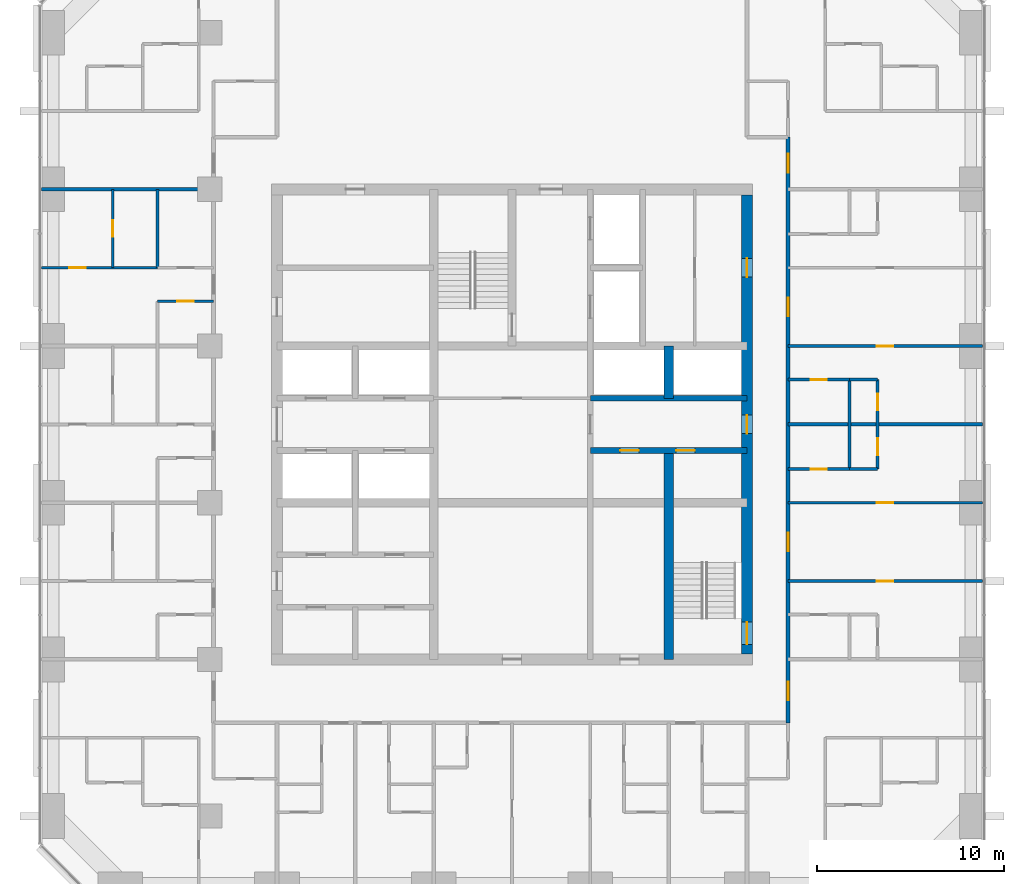
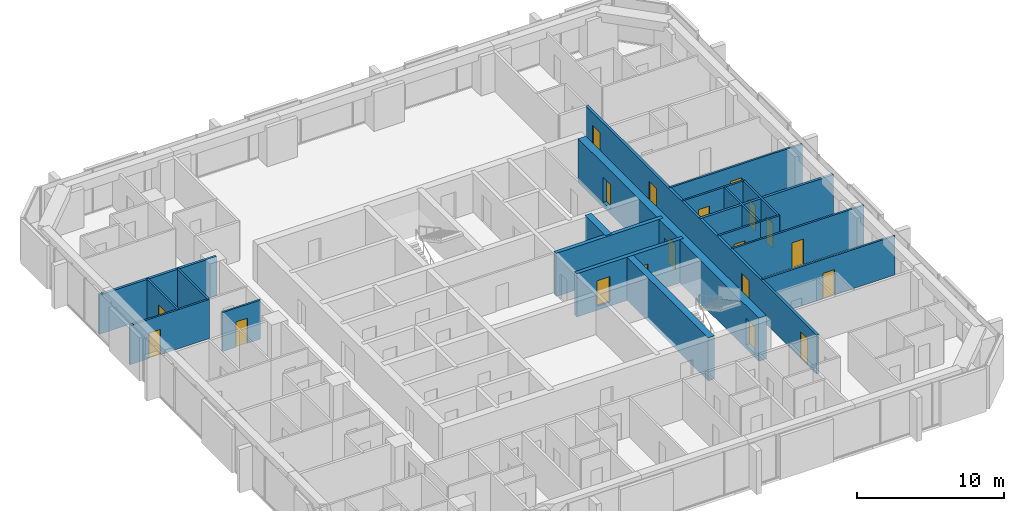
# One storey, part 11 of 14: 21 walls, 19 doors, 19 openings.
"""IFC4 building model written with IfcOpenShell, lengths in metres."""

import ifcopenshell
import ifcopenshell.guid

model = None  # the IFC model being written
_history = None  # IfcOwnerHistory: only IFC2X3 demands one
_inside = {}  # id of a spatial element -> (the spatial element, [elements in it])
_under = {}  # id of a project, library or spatial element -> (it, [spatial elements below it])
_declared = {}  # id of a project -> (the project, [libraries it declares])
_typed = {}  # id of a type object -> (the type object, [elements of that type])
_made_of = {}  # id of a material, layer set ... -> (it, [elements and type objects made of it])


def new_model(schema):
    """Start an empty IFC model of exactly this schema.

    Asked for "IFC4X3", IfcOpenShell would pick the latest addendum, in which some entities
    have other attributes; the version numbers below select the first issue.
    IFC2X3 requires an IfcOwnerHistory on every rooted entity: one is made here for all.
    """
    global model, _history
    if schema == "IFC4X3":
        model = ifcopenshell.file(schema_version=(4, 3, 0, 0))
    else:
        model = ifcopenshell.file(schema=schema)
    _inside.clear()
    _under.clear()
    _declared.clear()
    _typed.clear()
    _made_of.clear()
    _history = None
    if model.schema == "IFC2X3":
        org = make("IfcOrganization", Name="unknown")
        user = make(
            "IfcPersonAndOrganization",
            ThePerson=make("IfcPerson", FamilyName="unknown"),
            TheOrganization=org,
        )
        app = make(
            "IfcApplication",
            ApplicationDeveloper=org,
            Version="unknown",
            ApplicationFullName="unknown",
            ApplicationIdentifier="unknown",
        )
        _history = make(
            "IfcOwnerHistory",
            OwningUser=user,
            OwningApplication=app,
            ChangeAction="ADDED",
            CreationDate=0,
        )
    return model


def make(cls, **values):
    """One entity of the class cls with the attributes given. An attribute that is None is left unset."""
    return model.create_entity(
        cls, **{name: value for name, value in values.items() if value is not None}
    )


def rooted(cls, **values):
    """An entity with a GlobalId (a new one), such as an element, a storey or a relation."""
    return make(cls, GlobalId=ifcopenshell.guid.new(), OwnerHistory=_history, **values)


def si_unit(unit_type, name, prefix=None):
    """IfcSIUnit, for example si_unit("LENGTHUNIT", "METRE", prefix="MILLI")."""
    return make("IfcSIUnit", UnitType=unit_type, Prefix=prefix, Name=name)


def assignment(units):
    """IfcUnitAssignment: the units of a project."""
    return None if units is None else make("IfcUnitAssignment", Units=units)


def point(xyz):
    """IfcCartesianPoint."""
    return None if xyz is None else make("IfcCartesianPoint", Coordinates=xyz)


def direction(xyz):
    """IfcDirection."""
    return None if xyz is None else make("IfcDirection", DirectionRatios=xyz)


def frame(location, z_axis=None, x_axis=None):
    """IfcAxis2Placement3D, a coordinate frame: its origin and axes. An axis left out is left unset."""
    return make(
        "IfcAxis2Placement3D",
        Location=point(location),
        Axis=direction(z_axis),
        RefDirection=direction(x_axis),
    )


def frame_2d(location, x_axis=None):
    """IfcAxis2Placement2D, a coordinate frame in the plane: its origin and x axis."""
    return make(
        "IfcAxis2Placement2D", Location=point(location), RefDirection=direction(x_axis)
    )


def origin():
    """The frame at (0, 0, 0) with its axes left unset."""
    return frame((0.0, 0.0, 0.0))


def place(relative_to, where):
    """IfcLocalPlacement: puts the frame where relative to a parent placement (None: the world)."""
    return make(
        "IfcLocalPlacement", PlacementRelTo=relative_to, RelativePlacement=where
    )


def context(
    kind, dimensions, precision=None, world=None, true_north=None, identifier=None
):
    """IfcGeometricRepresentationContext, for example the 3D "Model" context."""
    return make(
        "IfcGeometricRepresentationContext",
        ContextIdentifier=identifier,
        ContextType=kind,
        CoordinateSpaceDimension=dimensions,
        Precision=precision,
        WorldCoordinateSystem=world,
        TrueNorth=true_north,
    )


def subcontext(parent, identifier, kind, view, scale=None):
    """IfcGeometricRepresentationSubContext, for example "Body" below "Model"."""
    return make(
        "IfcGeometricRepresentationSubContext",
        ContextIdentifier=identifier,
        ContextType=kind,
        ParentContext=parent,
        TargetScale=scale,
        TargetView=view,
    )


def project(units=None, contexts=None):
    """IfcProject with its units and contexts."""
    return rooted(
        "IfcProject",
        Name="project",
        RepresentationContexts=contexts,
        UnitsInContext=assignment(units),
    )


def spatial(cls, under=None, at=None, **own):
    """A site, building, storey or space (cls), placed at a placement, below another one or the project."""
    s = rooted(cls, ObjectPlacement=at, **own)
    if under is not None:
        _under.setdefault(under.id(), (under, []))[1].append(s)
    return s


def profile(cls, at=None, kind="AREA", **sizes):
    """A parametric profile (cls). Its sizes go by their IFC names, for example OverallWidth=200.0."""
    return make(cls, ProfileType=kind, Position=at, **sizes)


def rectangle(**sizes):
    """IfcRectangleProfileDef."""
    return profile("IfcRectangleProfileDef", **sizes)


def extrude(swept, where, along, depth):
    """IfcExtrudedAreaSolid: the profile swept, set in the frame where, extruded along a direction by depth."""
    return make(
        "IfcExtrudedAreaSolid",
        SweptArea=swept,
        Position=where,
        ExtrudedDirection=direction(along),
        Depth=depth,
    )


def shape(context_of_items, identifier, shape_type, items):
    """IfcShapeRepresentation: the items that make up one representation, for example the "Body"."""
    return make(
        "IfcShapeRepresentation",
        ContextOfItems=context_of_items,
        RepresentationIdentifier=identifier,
        RepresentationType=shape_type,
        Items=items,
    )


def material(Name=None, Category=None):
    """IfcMaterial."""
    return make("IfcMaterial", Name=Name, Category=Category)


def layer(
    of_material, thickness, ventilated=None, Name=None, Category=None, Priority=None
):
    """IfcMaterialLayer: one layer of a wall or slab, of a material (None: an air gap)."""
    return make(
        "IfcMaterialLayer",
        Material=of_material,
        LayerThickness=thickness,
        IsVentilated=ventilated,
        Name=Name,
        Category=Category,
        Priority=Priority,
    )


def layer_set(layers, Name=None):
    """IfcMaterialLayerSet."""
    return make("IfcMaterialLayerSet", MaterialLayers=layers, LayerSetName=Name)


def made_of(thing, what):
    """Note that an element or type object is made of a material, layer set ...; save() writes the relation."""
    if what is not None:
        _made_of.setdefault(what.id(), (what, []))[1].append(thing)
    return thing


def type_object(cls, material=None, **own):
    """A type object (cls), such as IfcWallType, which elements share."""
    return made_of(rooted(cls, **own), material)


def element(
    cls,
    number,
    at=None,
    inside=None,
    cuts=None,
    type_object=None,
    material=None,
    context=None,
    identifier="Body",
    shape_type=None,
    held_by="IfcProductDefinitionShape",
    body=None,
    shapes=None,
    **own,
):
    """One element of the class cls, such as IfcWall. Its Tag is "e" and its number.

    at: its placement. inside: the storey or other place that contains it. cuts: it is an
    opening in that element (IfcRelVoidsElement). A single representation is given by context,
    identifier, shape_type and body (its items); several are given by shapes. held_by: the class
    of the entity that holds the representations. save() writes the other relations.
    """
    e = rooted(cls, Tag="e%d" % number, ObjectPlacement=at, **own)
    if body is not None:
        shapes = [shape(context, identifier, shape_type, body)]
    if shapes is not None:
        e.Representation = make(held_by, Representations=shapes)
    if inside is not None:
        _inside.setdefault(inside.id(), (inside, []))[1].append(e)
    if cuts is not None:
        rooted(
            "IfcRelVoidsElement", RelatingBuildingElement=cuts, RelatedOpeningElement=e
        )
    if type_object is not None:
        _typed.setdefault(type_object.id(), (type_object, []))[1].append(e)
    return made_of(e, material)


def fill(opening, filler):
    """IfcRelFillsElement: the door or window that sits in an opening."""
    return rooted(
        "IfcRelFillsElement",
        RelatingOpeningElement=opening,
        RelatedBuildingElement=filler,
    )


def aggregate(whole, parts):
    """IfcRelAggregates: a whole, such as a stair, and the parts it consists of."""
    return rooted("IfcRelAggregates", RelatingObject=whole, RelatedObjects=parts)


def save(model, path):
    """Write the relations noted so far, then the file.

    IfcRelAggregates (storeys below a building ...), IfcRelContainedInSpatialStructure (elements
    in a storey), IfcRelDefinesByType, IfcRelAssociatesMaterial and IfcRelDeclares: one each for
    every whole, place, type object, material and project.
    """
    for whole, parts in _under.values():
        aggregate(whole, parts)
    for where, things in _inside.values():
        rooted(
            "IfcRelContainedInSpatialStructure",
            RelatedElements=things,
            RelatingStructure=where,
        )
    for kind, things in _typed.values():
        rooted("IfcRelDefinesByType", RelatedObjects=things, RelatingType=kind)
    for what, things in _made_of.values():
        rooted("IfcRelAssociatesMaterial", RelatedObjects=things, RelatingMaterial=what)
    for by, libraries in _declared.values():
        rooted("IfcRelDeclares", RelatingContext=by, RelatedDefinitions=libraries)
    model.write(path)


model = new_model("IFC4")

# Units and contexts
model_context = context("Model", 3, precision=1e-05, world=origin(), true_north=direction((0.0, 1.0)))
body_context = subcontext(model_context, "Body", "Model", "MODEL_VIEW")
ifc_project = project(units=[si_unit("LENGTHUNIT", "METRE"), si_unit("AREAUNIT", "SQUARE_METRE"), si_unit("VOLUMEUNIT", "CUBIC_METRE"), si_unit("PLANEANGLEUNIT", "RADIAN"), si_unit("MASSUNIT", "GRAM", prefix="KILO")], contexts=[model_context])

# Site, building, storey
site_placement = place(None, origin())
site = spatial("IfcSite", under=ifc_project, at=site_placement, CompositionType="ELEMENT")
building_placement = place(site_placement, origin())
building = spatial("IfcBuilding", under=site, at=building_placement, Name="Dunama Terrace Hotel", CompositionType="ELEMENT")
storey_placement = place(building_placement, frame((0.0, 0.0, 198.60009765625)))
storey = spatial("IfcBuildingStorey", under=building, at=storey_placement, Name="L51", CompositionType="ELEMENT", Elevation=198.60009765625)

# Wall, opening, door
ifc_material_1 = material(Name="Gypsum board partition", Category="masonry")
ifc_layer_1 = layer(ifc_material_1, 0.14990234375)
ifc_layer_set_1 = layer_set([ifc_layer_1], Name="Bathroom partition 150")
wall_type_1 = type_object("IfcWallType", Name="Bathroom partition 150", PredefinedType="PARTITIONING", material=ifc_layer_set_1)
wall_1_placement = place(storey_placement, frame((44.199951171875, 27.0, 0.0), z_axis=(0.0, 0.0, 1.0), x_axis=(1.0, 0.0, 0.0)))
wall_1 = element("IfcWall", 1, at=wall_1_placement, inside=storey, type_object=wall_type_1, Name="Bathroom partition 150 L51", PredefinedType="PARTITIONING", context=body_context, shape_type="SweptSolid", body=[
    extrude(rectangle(XDim=3.300048828125, YDim=0.14990234375, at=frame_2d((1.64990234375, 0.0))), origin(), (0.0, 0.0, 1.0), 3.25),
])
opening_1_placement = place(wall_1_placement, frame((1.22509765625, 0.0, 0.0)))
opening_1 = element("IfcOpeningElement", 2, at=opening_1_placement, cuts=wall_1, Name="Opening L51-52-029", PredefinedType="OPENING", context=body_context, shape_type="SweptSolid", body=[
    extrude(rectangle(XDim=0.85009765625, YDim=2.10009765625, at=frame_2d((0.425048828125, 1.050048828125))), frame((0.0, 0.0849609375, 0.0), z_axis=(0.0, -1.0, 0.0), x_axis=(1.0, 0.0, 0.0)), (0.0, 0.0, 1.0), 0.169921875),
])
ifc_material_2 = material(Name="Timber door with steel frame", Category="steel")
door_type_1 = type_object("IfcDoorType", Name="Bathroom door 850", OperationType="SINGLE_SWING_LEFT", PredefinedType="DOOR", material=ifc_material_2)
door_1_placement = place(opening_1_placement, origin())
door_1 = element("IfcDoor", 3, at=door_1_placement, inside=storey, type_object=door_type_1, Name="Door to en-suite bathroom L51-52-029, type D2", OperationType="SINGLE_SWING_LEFT", OverallHeight=2.10009765625, OverallWidth=0.85009765625, PredefinedType="DOOR", context=body_context, shape_type="SweptSolid", body=[
    extrude(rectangle(XDim=0.85009765625, YDim=2.10009765625, at=frame_2d((0.425048828125, 1.050048828125))), frame((0.0, 0.02490234375, 0.0), z_axis=(0.0, -1.0, 0.0), x_axis=(1.0, 0.0, 0.0)), (0.0, 0.0, 1.0), 0.050048828125),
])
fill(opening_1, door_1)

wall_2_placement = place(storey_placement, frame((44.199951171875, 31.800048828125, 0.0), z_axis=(0.0, 0.0, 1.0), x_axis=(1.0, 0.0, 0.0)))
wall_2 = element("IfcWall", 4, at=wall_2_placement, inside=storey, type_object=wall_type_1, Name="Bathroom partition 150 L51", PredefinedType="PARTITIONING", context=body_context, shape_type="SweptSolid", body=[
    extrude(rectangle(XDim=3.300048828125, YDim=0.14990234375, at=frame_2d((1.64990234375, 0.0))), origin(), (0.0, 0.0, 1.0), 3.25),
])
opening_2_placement = place(wall_2_placement, frame((1.22509765625, 0.0, 0.0)))
opening_2 = element("IfcOpeningElement", 5, at=opening_2_placement, cuts=wall_2, Name="Opening L51-52-033", PredefinedType="OPENING", context=body_context, shape_type="SweptSolid", body=[
    extrude(rectangle(XDim=0.85009765625, YDim=2.10009765625, at=frame_2d((0.425048828125, 1.050048828125))), frame((0.0, 0.0849609375, 0.0), z_axis=(0.0, -1.0, 0.0), x_axis=(1.0, 0.0, 0.0)), (0.0, 0.0, 1.0), 0.169921875),
])
door_2_placement = place(opening_2_placement, frame((0.85009765625, 0.0, 0.0), z_axis=(0.0, 0.0, 1.0), x_axis=(-1.0, 0.0, 0.0)))
door_2 = element("IfcDoor", 6, at=door_2_placement, inside=storey, type_object=door_type_1, Name="Door to en-suite bathroom L51-52-033, type D2", OperationType="SINGLE_SWING_RIGHT", OverallHeight=2.10009765625, OverallWidth=0.85009765625, PredefinedType="DOOR", context=body_context, shape_type="SweptSolid", body=[
    extrude(rectangle(XDim=0.85009765625, YDim=2.10009765625, at=frame_2d((0.425048828125, 1.050048828125))), frame((0.0, 0.025146484375, 0.0), z_axis=(0.0, -1.0, 0.0), x_axis=(1.0, 0.0, 0.0)), (0.0, 0.0, 1.0), 0.050048828125),
])
fill(opening_2, door_2)

# Wall, openings, doors
ifc_material_3 = material(Name="Concrete C50/60", Category="concrete")
ifc_layer_2 = layer(ifc_material_3, 0.300048828125)
ifc_layer_set_2 = layer_set([ifc_layer_2], Name="Core inner wall 300")
wall_type_2 = type_object("IfcWallType", Name="Core inner wall 300", PredefinedType="SHEAR", material=ifc_layer_set_2)
wall_3_placement = place(storey_placement, frame((33.60009765625, 28.0, -0.35009765625), z_axis=(0.0, 0.0, 1.0), x_axis=(1.0, 0.0, 0.0)))
wall_3 = element("IfcWall", 7, at=wall_3_placement, inside=storey, type_object=wall_type_2, Name="Core inner wall 300 L51", PredefinedType="SHEAR", context=body_context, shape_type="SweptSolid", body=[
    extrude(rectangle(XDim=8.39990234375, YDim=0.300048828125, at=frame_2d((4.199951171875, 0.0))), origin(), (0.0, 0.0, 1.0), 3.60009765625),
])
opening_3_placement = place(wall_3_placement, frame((1.60009765625, 0.0, 0.35009765625)))
opening_3 = element("IfcOpeningElement", 8, at=opening_3_placement, cuts=wall_3, Name="Opening L51-52-083", PredefinedType="OPENING", context=body_context, shape_type="SweptSolid", body=[
    extrude(rectangle(XDim=1.0, YDim=2.10009765625, at=frame_2d((0.5, 1.050048828125))), frame((0.0, 0.159912109375, 0.0), z_axis=(0.0, -1.0, 0.0), x_axis=(1.0, 0.0, 0.0)), (0.0, 0.0, 1.0), 0.320068359375),
])
opening_4_placement = place(wall_3_placement, frame((4.60009765625, 0.0, 0.35009765625)))
opening_4 = element("IfcOpeningElement", 9, at=opening_4_placement, cuts=wall_3, Name="Opening L51-52-084", PredefinedType="OPENING", context=body_context, shape_type="SweptSolid", body=[
    extrude(rectangle(XDim=1.0, YDim=2.10009765625, at=frame_2d((0.5, 1.050048828125))), frame((0.0, 0.159912109375, 0.0), z_axis=(0.0, -1.0, 0.0), x_axis=(1.0, 0.0, 0.0)), (0.0, 0.0, 1.0), 0.320068359375),
])
ifc_material_4 = material(Name="Timber door with steel frame", Category="steel")
door_type_2 = type_object("IfcDoorType", Name="Service door 1000", OperationType="SINGLE_SWING_LEFT", PredefinedType="DOOR", material=ifc_material_4)
door_3_placement = place(opening_3_placement, frame((1.0, 0.0, 0.0), z_axis=(0.0, 0.0, 1.0), x_axis=(-1.0, 0.0, 0.0)))
door_3 = element("IfcDoor", 10, at=door_3_placement, inside=storey, type_object=door_type_2, Name="Door to service riser L51-52-083, type D7", OperationType="SINGLE_SWING_LEFT", OverallHeight=2.10009765625, OverallWidth=1.0, PredefinedType="DOOR", context=body_context, shape_type="SweptSolid", body=[
    extrude(rectangle(XDim=1.0, YDim=2.10009765625, at=frame_2d((0.5, 1.050048828125))), frame((0.0, 0.025146484375, 0.0), z_axis=(0.0, -1.0, 0.0), x_axis=(1.0, 0.0, 0.0)), (0.0, 0.0, 1.0), 0.050048828125),
])
fill(opening_3, door_3)
door_4_placement = place(opening_4_placement, frame((1.0, 0.0, 0.0), z_axis=(0.0, 0.0, 1.0), x_axis=(-1.0, 0.0, 0.0)))
door_4 = element("IfcDoor", 11, at=door_4_placement, inside=storey, type_object=door_type_2, Name="Door to room service pantry L51-52-084, type D7", OperationType="SINGLE_SWING_RIGHT", OverallHeight=2.10009765625, OverallWidth=1.0, PredefinedType="DOOR", context=body_context, shape_type="SweptSolid", body=[
    extrude(rectangle(XDim=1.0, YDim=2.10009765625, at=frame_2d((0.5, 1.050048828125))), frame((0.0, 0.025146484375, 0.0), z_axis=(0.0, -1.0, 0.0), x_axis=(1.0, 0.0, 0.0)), (0.0, 0.0, 1.0), 0.050048828125),
])
fill(opening_4, door_4)

# Walls
wall_4_placement = place(storey_placement, frame((33.60009765625, 30.800048828125, -0.35009765625), z_axis=(0.0, 0.0, 1.0), x_axis=(1.0, 0.0, 0.0)))
element("IfcWall", 12, at=wall_4_placement, inside=storey, type_object=wall_type_2, Name="Core inner wall 300 L51", PredefinedType="SHEAR", context=body_context, shape_type="SweptSolid", body=[
    extrude(rectangle(XDim=8.39990234375, YDim=0.300048828125, at=frame_2d((4.199951171875, 0.0))), origin(), (0.0, 0.0, 1.0), 3.60009765625),
])
ifc_material_5 = material(Name="Concrete C50/60", Category="concrete")
ifc_layer_3 = layer(ifc_material_5, 0.5)
ifc_layer_set_3 = layer_set([ifc_layer_3], Name="Core inner wall 500")
wall_type_3 = type_object("IfcWallType", Name="Core inner wall 500", PredefinedType="SHEAR", material=ifc_layer_set_3)
wall_5_placement = place(storey_placement, frame((37.800048828125, 16.800048828125, -0.35009765625), z_axis=(0.0, 0.0, 1.0), x_axis=(0.0, 1.0, 0.0)))
element("IfcWall", 13, at=wall_5_placement, inside=storey, type_object=wall_type_3, Name="Core inner wall 500 L51", PredefinedType="SHEAR", context=body_context, shape_type="SweptSolid", body=[
    extrude(rectangle(XDim=11.199951171875, YDim=0.5, at=frame_2d((5.60009765625, 0.0))), origin(), (0.0, 0.0, 1.0), 3.60009765625),
])
wall_6_placement = place(storey_placement, frame((37.800048828125, 30.800048828125, -0.35009765625), z_axis=(0.0, 0.0, 1.0), x_axis=(0.0, 1.0, 0.0)))
element("IfcWall", 14, at=wall_6_placement, inside=storey, type_object=wall_type_3, Name="Core inner wall 500 L51", PredefinedType="SHEAR", context=body_context, shape_type="SweptSolid", body=[
    extrude(rectangle(XDim=2.800048828125, YDim=0.5, at=frame_2d((1.39990234375, 0.0))), origin(), (0.0, 0.0, 1.0), 3.60009765625),
])

# Wall, openings, doors
ifc_material_6 = material(Name="Concrete C50/60", Category="concrete")
ifc_layer_4 = layer(ifc_material_6, 0.60009765625)
ifc_layer_set_4 = layer_set([ifc_layer_4], Name="Core wall 600")
wall_type_4 = type_object("IfcWallType", Name="Core wall 600", PredefinedType="SHEAR", material=ifc_layer_set_4)
wall_7_placement = place(storey_placement, frame((42.0, 17.10009765625, -0.35009765625), z_axis=(0.0, 0.0, 1.0), x_axis=(0.0, 1.0, 0.0)))
wall_7 = element("IfcWall", 15, at=wall_7_placement, inside=storey, type_object=wall_type_4, Name="Core wall east L51", PredefinedType="SHEAR", context=body_context, shape_type="SweptSolid", body=[
    extrude(rectangle(XDim=24.599853515625, YDim=0.60009765625, at=frame_2d((12.2998046875, 0.0))), origin(), (0.0, 0.0, 1.0), 3.60009765625),
])
opening_5_placement = place(wall_7_placement, frame((0.5, 0.0, 0.35009765625)))
opening_5 = element("IfcOpeningElement", 16, at=opening_5_placement, cuts=wall_7, Name="Opening L51-52-002", PredefinedType="OPENING", context=body_context, shape_type="SweptSolid", body=[
    extrude(rectangle(XDim=1.199951171875, YDim=2.199951171875, at=frame_2d((0.60009765625, 1.10009765625))), frame((0.0, 0.31005859375, 0.0), z_axis=(0.0, -1.0, 0.0), x_axis=(1.0, 0.0, 0.0)), (0.0, 0.0, 1.0), 0.6201171875),
])
opening_6_placement = place(wall_7_placement, frame((11.800048828125, 0.0, 0.35009765625)))
opening_6 = element("IfcOpeningElement", 17, at=opening_6_placement, cuts=wall_7, Name="Opening L51-52-085", PredefinedType="OPENING", context=body_context, shape_type="SweptSolid", body=[
    extrude(rectangle(XDim=1.0, YDim=2.10009765625, at=frame_2d((0.5, 1.050048828125))), frame((0.0, 0.31005859375, 0.0), z_axis=(0.0, -1.0, 0.0), x_axis=(1.0, 0.0, 0.0)), (0.0, 0.0, 1.0), 0.6201171875),
])
opening_7_placement = place(wall_7_placement, frame((20.199951171875, 0.0, 0.35009765625)))
opening_7 = element("IfcOpeningElement", 18, at=opening_7_placement, cuts=wall_7, Name="Opening L51-52-087", PredefinedType="OPENING", context=body_context, shape_type="SweptSolid", body=[
    extrude(rectangle(XDim=1.0, YDim=2.10009765625, at=frame_2d((0.5, 1.050048828125))), frame((0.0, 0.31005859375, 0.0), z_axis=(0.0, -1.0, 0.0), x_axis=(1.0, 0.0, 0.0)), (0.0, 0.0, 1.0), 0.6201171875),
])
door_5_placement = place(opening_6_placement, origin())
door_5 = element("IfcDoor", 19, at=door_5_placement, inside=storey, type_object=door_type_2, Name="Door to service lobby L51-52-085, type D7", OperationType="SINGLE_SWING_RIGHT", OverallHeight=2.10009765625, OverallWidth=1.0, PredefinedType="DOOR", context=body_context, shape_type="SweptSolid", body=[
    extrude(rectangle(XDim=1.0, YDim=2.10009765625, at=frame_2d((0.5, 1.050048828125))), frame((0.0, 0.02490234375, 0.0), z_axis=(0.0, -1.0, 0.0), x_axis=(1.0, 0.0, 0.0)), (0.0, 0.0, 1.0), 0.050048828125),
])
fill(opening_6, door_5)
door_6_placement = place(opening_7_placement, origin())
door_6 = element("IfcDoor", 20, at=door_6_placement, inside=storey, type_object=door_type_2, Name="Door to guest pantry L51-52-087, type D7", OperationType="SINGLE_SWING_LEFT", OverallHeight=2.10009765625, OverallWidth=1.0, PredefinedType="DOOR", context=body_context, shape_type="SweptSolid", body=[
    extrude(rectangle(XDim=1.0, YDim=2.10009765625, at=frame_2d((0.5, 1.050048828125))), frame((0.0, 0.02490234375, 0.0), z_axis=(0.0, -1.0, 0.0), x_axis=(1.0, 0.0, 0.0)), (0.0, 0.0, 1.0), 0.050048828125),
])
fill(opening_7, door_6)
ifc_material_7 = material(Name="Timber door with steel frame", Category="steel")
door_type_3 = type_object("IfcDoorType", Name="Stair door 1200", OperationType="SINGLE_SWING_LEFT", PredefinedType="DOOR", material=ifc_material_7)
door_7_placement = place(opening_5_placement, origin())
door_7 = element("IfcDoor", 21, at=door_7_placement, inside=storey, type_object=door_type_3, Name="Stair door ST2 L51-52-002, type D5", OperationType="SINGLE_SWING_LEFT", OverallHeight=2.199951171875, OverallWidth=1.199951171875, PredefinedType="DOOR", context=body_context, shape_type="SweptSolid", body=[
    extrude(rectangle(XDim=1.199951171875, YDim=2.199951171875, at=frame_2d((0.60009765625, 1.10009765625))), frame((0.0, 0.02490234375, 0.0), z_axis=(0.0, -1.0, 0.0), x_axis=(1.0, 0.0, 0.0)), (0.0, 0.0, 1.0), 0.050048828125),
])
fill(opening_5, door_7)

ifc_material_8 = material(Name="Concrete blockwork", Category="masonry")
ifc_layer_5 = layer(ifc_material_8, 0.199951171875)
ifc_layer_set_5 = layer_set([ifc_layer_5], Name="Corridor partition 200")
wall_type_5 = type_object("IfcWallType", Name="Corridor partition 200", PredefinedType="PARTITIONING", material=ifc_layer_set_5)
wall_8_placement = place(storey_placement, frame((44.199951171875, 44.800048828125, 0.0), z_axis=(0.0, 0.0, 1.0), x_axis=(0.0, -1.0, 0.0)))
wall_8 = element("IfcWall", 22, at=wall_8_placement, inside=storey, type_object=wall_type_5, Name="Corridor partition 200 L51", PredefinedType="PARTITIONING", context=body_context, shape_type="SweptSolid", body=[
    extrude(rectangle(XDim=31.400146484375, YDim=0.199951171875, at=frame_2d((15.7001953125, 0.0))), origin(), (0.0, 0.0, 1.0), 3.25),
])
opening_8_placement = place(wall_8_placement, frame((21.199951171875, 0.0, 0.0)))
opening_8 = element("IfcOpeningElement", 23, at=opening_8_placement, cuts=wall_8, Name="Opening L51-52-024", PredefinedType="OPENING", context=body_context, shape_type="SweptSolid", body=[
    extrude(rectangle(XDim=1.0, YDim=2.199951171875, at=frame_2d((0.5, 1.10009765625))), frame((0.0, 0.10986328125, 0.0), z_axis=(0.0, -1.0, 0.0), x_axis=(1.0, 0.0, 0.0)), (0.0, 0.0, 1.0), 0.219970703125),
])
opening_9_placement = place(wall_8_placement, frame((8.60009765625, 0.0, 0.0)))
opening_9 = element("IfcOpeningElement", 24, at=opening_9_placement, cuts=wall_8, Name="Opening L51-52-031", PredefinedType="OPENING", context=body_context, shape_type="SweptSolid", body=[
    extrude(rectangle(XDim=1.0, YDim=2.199951171875, at=frame_2d((0.5, 1.10009765625))), frame((0.0, 0.10986328125, 0.0), z_axis=(0.0, -1.0, 0.0), x_axis=(1.0, 0.0, 0.0)), (0.0, 0.0, 1.0), 0.219970703125),
])
opening_10_placement = place(wall_8_placement, frame((29.199951171875, 0.0, 0.0)))
opening_10 = element("IfcOpeningElement", 25, at=opening_10_placement, cuts=wall_8, Name="Opening L51-52-058", PredefinedType="OPENING", context=body_context, shape_type="SweptSolid", body=[
    extrude(rectangle(XDim=1.0, YDim=2.199951171875, at=frame_2d((0.5, 1.10009765625))), frame((0.0, 0.10986328125, 0.0), z_axis=(0.0, -1.0, 0.0), x_axis=(1.0, 0.0, 0.0)), (0.0, 0.0, 1.0), 0.219970703125),
])
opening_11_placement = place(wall_8_placement, frame((0.89990234375, 0.0, 0.0)))
opening_11 = element("IfcOpeningElement", 26, at=opening_11_placement, cuts=wall_8, Name="Opening L51-52-063", PredefinedType="OPENING", context=body_context, shape_type="SweptSolid", body=[
    extrude(rectangle(XDim=1.0, YDim=2.199951171875, at=frame_2d((0.5, 1.10009765625))), frame((0.0, 0.10986328125, 0.0), z_axis=(0.0, -1.0, 0.0), x_axis=(1.0, 0.0, 0.0)), (0.0, 0.0, 1.0), 0.219970703125),
])
ifc_material_9 = material(Name="Timber door with steel frame", Category="steel")
door_type_4 = type_object("IfcDoorType", Name="Guest room door 1000", OperationType="SINGLE_SWING_LEFT", PredefinedType="DOOR", material=ifc_material_9)
door_8_placement = place(opening_8_placement, origin())
door_8 = element("IfcDoor", 27, at=door_8_placement, inside=storey, type_object=door_type_4, Name="Door to family club suite living room L51-52-024, type D1", OperationType="SINGLE_SWING_RIGHT", OverallHeight=2.199951171875, OverallWidth=1.0, PredefinedType="DOOR", context=body_context, shape_type="SweptSolid", body=[
    extrude(rectangle(XDim=1.0, YDim=2.199951171875, at=frame_2d((0.5, 1.10009765625))), frame((0.0, 0.02490234375, 0.0), z_axis=(0.0, -1.0, 0.0), x_axis=(1.0, 0.0, 0.0)), (0.0, 0.0, 1.0), 0.050048828125),
])
fill(opening_8, door_8)
door_9_placement = place(opening_9_placement, origin())
door_9 = element("IfcDoor", 28, at=door_9_placement, inside=storey, type_object=door_type_4, Name="Door to family club suite living room L51-52-031, type D1", OperationType="SINGLE_SWING_RIGHT", OverallHeight=2.199951171875, OverallWidth=1.0, PredefinedType="DOOR", context=body_context, shape_type="SweptSolid", body=[
    extrude(rectangle(XDim=1.0, YDim=2.199951171875, at=frame_2d((0.5, 1.10009765625))), frame((0.0, 0.02490234375, 0.0), z_axis=(0.0, -1.0, 0.0), x_axis=(1.0, 0.0, 0.0)), (0.0, 0.0, 1.0), 0.050048828125),
])
fill(opening_9, door_9)
door_10_placement = place(opening_10_placement, origin())
door_10 = element("IfcDoor", 29, at=door_10_placement, inside=storey, type_object=door_type_4, Name="Door to corner suite living room L51-52-058, type D1", OperationType="SINGLE_SWING_RIGHT", OverallHeight=2.199951171875, OverallWidth=1.0, PredefinedType="DOOR", context=body_context, shape_type="SweptSolid", body=[
    extrude(rectangle(XDim=1.0, YDim=2.199951171875, at=frame_2d((0.5, 1.10009765625))), frame((0.0, 0.02490234375, 0.0), z_axis=(0.0, -1.0, 0.0), x_axis=(1.0, 0.0, 0.0)), (0.0, 0.0, 1.0), 0.050048828125),
])
fill(opening_10, door_10)
door_11_placement = place(opening_11_placement, origin())
door_11 = element("IfcDoor", 30, at=door_11_placement, inside=storey, type_object=door_type_4, Name="Door to corner suite living room L51-52-063, type D1", OperationType="SINGLE_SWING_LEFT", OverallHeight=2.199951171875, OverallWidth=1.0, PredefinedType="DOOR", context=body_context, shape_type="SweptSolid", body=[
    extrude(rectangle(XDim=1.0, YDim=2.199951171875, at=frame_2d((0.5, 1.10009765625))), frame((0.0, 0.02490234375, 0.0), z_axis=(0.0, -1.0, 0.0), x_axis=(1.0, 0.0, 0.0)), (0.0, 0.0, 1.0), 0.050048828125),
])
fill(opening_11, door_11)

# Walls
ifc_material_10 = material(Name="Concrete blockwork", Category="masonry")
ifc_layer_6 = layer(ifc_material_10, 0.199951171875)
ifc_layer_set_6 = layer_set([ifc_layer_6], Name="Party wall 200")
wall_type_6 = type_object("IfcWallType", Name="Party wall 200", PredefinedType="PARTITIONING", material=ifc_layer_set_6)
wall_9_placement = place(storey_placement, frame((44.199951171875, 29.39990234375, 0.0), z_axis=(0.0, 0.0, 1.0), x_axis=(1.0, 0.0, 0.0)))
element("IfcWall", 31, at=wall_9_placement, inside=storey, type_object=wall_type_6, Name="Party wall 200 L51", PredefinedType="PARTITIONING", context=body_context, shape_type="SweptSolid", body=[
    extrude(rectangle(XDim=10.41796875, YDim=0.199951171875, at=frame_2d((5.208984375, 0.0))), origin(), (0.0, 0.0, 1.0), 3.25),
])
wall_10_placement = place(storey_placement, frame((4.181884765625, 42.0, 0.0), z_axis=(0.0, 0.0, 1.0), x_axis=(1.0, 0.0, 0.0)))
element("IfcWall", 32, at=wall_10_placement, inside=storey, type_object=wall_type_6, Name="Party wall 200 L51", PredefinedType="PARTITIONING", context=body_context, shape_type="SweptSolid", body=[
    extrude(rectangle(XDim=9.218017578125, YDim=0.199951171875, at=frame_2d((4.60888671875, 0.0))), origin(), (0.0, 0.0, 1.0), 3.25),
])

# Wall, opening, door
ifc_material_11 = material(Name="Gypsum board partition", Category="masonry")
ifc_layer_7 = layer(ifc_material_11, 0.14990234375)
ifc_layer_set_7 = layer_set([ifc_layer_7], Name="Room partition 150")
wall_type_7 = type_object("IfcWallType", Name="Room partition 150", PredefinedType="PARTITIONING", material=ifc_layer_set_7)
wall_11_placement = place(storey_placement, frame((8.0, 37.800048828125, 0.0), z_axis=(0.0, 0.0, 1.0), x_axis=(0.0, 1.0, 0.0)))
wall_11 = element("IfcWall", 33, at=wall_11_placement, inside=storey, type_object=wall_type_7, Name="Room partition 150 L51", PredefinedType="PARTITIONING", context=body_context, shape_type="SweptSolid", body=[
    extrude(rectangle(XDim=4.199951171875, YDim=0.14990234375, at=frame_2d((2.10009765625, 0.0))), origin(), (0.0, 0.0, 1.0), 3.25),
])
opening_12_placement = place(wall_11_placement, frame((1.64990234375, 0.0, 0.0)))
opening_12 = element("IfcOpeningElement", 34, at=opening_12_placement, cuts=wall_11, Name="Opening L51-52-051", PredefinedType="OPENING", context=body_context, shape_type="SweptSolid", body=[
    extrude(rectangle(XDim=0.89990234375, YDim=2.10009765625, at=frame_2d((0.449951171875, 1.050048828125))), frame((0.0, 0.0849609375, 0.0), z_axis=(0.0, -1.0, 0.0), x_axis=(1.0, 0.0, 0.0)), (0.0, 0.0, 1.0), 0.169921875),
])
ifc_material_12 = material(Name="Timber door with steel frame", Category="steel")
door_type_5 = type_object("IfcDoorType", Name="Suite internal door 900", OperationType="SINGLE_SWING_LEFT", PredefinedType="DOOR", material=ifc_material_12)
door_12_placement = place(opening_12_placement, frame((0.89990234375, 0.0, 0.0), z_axis=(0.0, 0.0, 1.0), x_axis=(-1.0, 0.0, 0.0)))
door_12 = element("IfcDoor", 35, at=door_12_placement, inside=storey, type_object=door_type_5, Name="Door to walk-in wardrobe L51-52-051, type D16", OperationType="SINGLE_SWING_RIGHT", OverallHeight=2.10009765625, OverallWidth=0.89990234375, PredefinedType="DOOR", context=body_context, shape_type="SweptSolid", body=[
    extrude(rectangle(XDim=0.89990234375, YDim=2.10009765625, at=frame_2d((0.449951171875, 1.050048828125))), frame((0.0, 0.025146484375, 0.0), z_axis=(0.0, -1.0, 0.0), x_axis=(1.0, 0.0, 0.0)), (0.0, 0.0, 1.0), 0.050048828125),
])
fill(opening_12, door_12)

# Walls
wall_12_placement = place(storey_placement, frame((10.39990234375, 37.800048828125, 0.0), z_axis=(0.0, 0.0, 1.0), x_axis=(0.0, 1.0, 0.0)))
element("IfcWall", 36, at=wall_12_placement, inside=storey, type_object=wall_type_7, Name="Room partition 150 L51", PredefinedType="PARTITIONING", context=body_context, shape_type="SweptSolid", body=[
    extrude(rectangle(XDim=4.199951171875, YDim=0.14990234375, at=frame_2d((2.10009765625, 0.0))), origin(), (0.0, 0.0, 1.0), 3.25),
])
wall_13_placement = place(storey_placement, frame((47.5, 27.0, 0.0), z_axis=(0.0, 0.0, 1.0), x_axis=(0.0, 1.0, 0.0)))
element("IfcWall", 37, at=wall_13_placement, inside=storey, type_object=wall_type_7, Name="Room partition 150 L51", PredefinedType="PARTITIONING", context=body_context, shape_type="SweptSolid", body=[
    extrude(rectangle(XDim=4.800048828125, YDim=0.14990234375, at=frame_2d((2.39990234375, 0.0))), origin(), (0.0, 0.0, 1.0), 3.25),
])

# Wall, openings, doors
wall_14_placement = place(storey_placement, frame((49.0, 27.0, 0.0), z_axis=(0.0, 0.0, 1.0), x_axis=(0.0, 1.0, 0.0)))
wall_14 = element("IfcWall", 38, at=wall_14_placement, inside=storey, type_object=wall_type_7, Name="Room partition 150 L51", PredefinedType="PARTITIONING", context=body_context, shape_type="SweptSolid", body=[
    extrude(rectangle(XDim=4.800048828125, YDim=0.14990234375, at=frame_2d((2.39990234375, 0.0))), origin(), (0.0, 0.0, 1.0), 3.25),
])
opening_13_placement = place(wall_14_placement, frame((0.75, 0.0, 0.0)))
opening_13 = element("IfcOpeningElement", 39, at=opening_13_placement, cuts=wall_14, Name="Opening L51-52-030", PredefinedType="OPENING", context=body_context, shape_type="SweptSolid", body=[
    extrude(rectangle(XDim=0.89990234375, YDim=2.10009765625, at=frame_2d((0.449951171875, 1.050048828125))), frame((0.0, 0.0849609375, 0.0), z_axis=(0.0, -1.0, 0.0), x_axis=(1.0, 0.0, 0.0)), (0.0, 0.0, 1.0), 0.169921875),
])
opening_14_placement = place(wall_14_placement, frame((3.14990234375, 0.0, 0.0)))
opening_14 = element("IfcOpeningElement", 40, at=opening_14_placement, cuts=wall_14, Name="Opening L51-52-034", PredefinedType="OPENING", context=body_context, shape_type="SweptSolid", body=[
    extrude(rectangle(XDim=0.89990234375, YDim=2.10009765625, at=frame_2d((0.449951171875, 1.050048828125))), frame((0.0, 0.0849609375, 0.0), z_axis=(0.0, -1.0, 0.0), x_axis=(1.0, 0.0, 0.0)), (0.0, 0.0, 1.0), 0.169921875),
])
door_13_placement = place(opening_13_placement, origin())
door_13 = element("IfcDoor", 41, at=door_13_placement, inside=storey, type_object=door_type_5, Name="Door to walk-in wardrobe L51-52-030, type D16", OperationType="SINGLE_SWING_LEFT", OverallHeight=2.10009765625, OverallWidth=0.89990234375, PredefinedType="DOOR", context=body_context, shape_type="SweptSolid", body=[
    extrude(rectangle(XDim=0.89990234375, YDim=2.10009765625, at=frame_2d((0.449951171875, 1.050048828125))), frame((0.0, 0.02490234375, 0.0), z_axis=(0.0, -1.0, 0.0), x_axis=(1.0, 0.0, 0.0)), (0.0, 0.0, 1.0), 0.050048828125),
])
fill(opening_13, door_13)
door_14_placement = place(opening_14_placement, origin())
door_14 = element("IfcDoor", 42, at=door_14_placement, inside=storey, type_object=door_type_5, Name="Door to walk-in wardrobe L51-52-034, type D16", OperationType="SINGLE_SWING_LEFT", OverallHeight=2.10009765625, OverallWidth=0.89990234375, PredefinedType="DOOR", context=body_context, shape_type="SweptSolid", body=[
    extrude(rectangle(XDim=0.89990234375, YDim=2.10009765625, at=frame_2d((0.449951171875, 1.050048828125))), frame((0.0, 0.02490234375, 0.0), z_axis=(0.0, -1.0, 0.0), x_axis=(1.0, 0.0, 0.0)), (0.0, 0.0, 1.0), 0.050048828125),
])
fill(opening_14, door_14)

# Wall, opening, door
wall_15_placement = place(storey_placement, frame((44.199951171875, 21.0, 0.0), z_axis=(0.0, 0.0, 1.0), x_axis=(1.0, 0.0, 0.0)))
wall_15 = element("IfcWall", 43, at=wall_15_placement, inside=storey, type_object=wall_type_7, Name="Room partition 150 L51", PredefinedType="PARTITIONING", context=body_context, shape_type="SweptSolid", body=[
    extrude(rectangle(XDim=10.41796875, YDim=0.14990234375, at=frame_2d((5.208984375, 0.0))), origin(), (0.0, 0.0, 1.0), 3.25),
])
opening_15_placement = place(wall_15_placement, frame((4.75, 0.0, 0.0)))
opening_15 = element("IfcOpeningElement", 44, at=opening_15_placement, cuts=wall_15, Name="Opening L51-52-025", PredefinedType="OPENING", context=body_context, shape_type="SweptSolid", body=[
    extrude(rectangle(XDim=0.89990234375, YDim=2.10009765625, at=frame_2d((0.449951171875, 1.050048828125))), frame((0.0, 0.0849609375, 0.0), z_axis=(0.0, -1.0, 0.0), x_axis=(1.0, 0.0, 0.0)), (0.0, 0.0, 1.0), 0.169921875),
])
door_15_placement = place(opening_15_placement, frame((0.89990234375, 0.0, 0.0), z_axis=(0.0, 0.0, 1.0), x_axis=(-1.0, 0.0, 0.0)))
door_15 = element("IfcDoor", 45, at=door_15_placement, inside=storey, type_object=door_type_5, Name="Door to family club suite bedroom L51-52-025, type D16", OperationType="SINGLE_SWING_RIGHT", OverallHeight=2.10009765625, OverallWidth=0.89990234375, PredefinedType="DOOR", context=body_context, shape_type="SweptSolid", body=[
    extrude(rectangle(XDim=0.89990234375, YDim=2.10009765625, at=frame_2d((0.449951171875, 1.050048828125))), frame((0.0, 0.025146484375, 0.0), z_axis=(0.0, -1.0, 0.0), x_axis=(1.0, 0.0, 0.0)), (0.0, 0.0, 1.0), 0.050048828125),
])
fill(opening_15, door_15)

wall_16_placement = place(storey_placement, frame((44.199951171875, 25.199951171875, 0.0), z_axis=(0.0, 0.0, 1.0), x_axis=(1.0, 0.0, 0.0)))
wall_16 = element("IfcWall", 46, at=wall_16_placement, inside=storey, type_object=wall_type_7, Name="Room partition 150 L51", PredefinedType="PARTITIONING", context=body_context, shape_type="SweptSolid", body=[
    extrude(rectangle(XDim=10.41796875, YDim=0.14990234375, at=frame_2d((5.208984375, 0.0))), origin(), (0.0, 0.0, 1.0), 3.25),
])
opening_16_placement = place(wall_16_placement, frame((4.75, 0.0, 0.0)))
opening_16 = element("IfcOpeningElement", 47, at=opening_16_placement, cuts=wall_16, Name="Opening L51-52-028", PredefinedType="OPENING", context=body_context, shape_type="SweptSolid", body=[
    extrude(rectangle(XDim=0.89990234375, YDim=2.10009765625, at=frame_2d((0.449951171875, 1.050048828125))), frame((0.0, 0.0849609375, 0.0), z_axis=(0.0, -1.0, 0.0), x_axis=(1.0, 0.0, 0.0)), (0.0, 0.0, 1.0), 0.169921875),
])
door_16_placement = place(opening_16_placement, origin())
door_16 = element("IfcDoor", 48, at=door_16_placement, inside=storey, type_object=door_type_5, Name="Door to family club suite second bedroom L51-52-028, type D16", OperationType="SINGLE_SWING_LEFT", OverallHeight=2.10009765625, OverallWidth=0.89990234375, PredefinedType="DOOR", context=body_context, shape_type="SweptSolid", body=[
    extrude(rectangle(XDim=0.89990234375, YDim=2.10009765625, at=frame_2d((0.449951171875, 1.050048828125))), frame((0.0, 0.02490234375, 0.0), z_axis=(0.0, -1.0, 0.0), x_axis=(1.0, 0.0, 0.0)), (0.0, 0.0, 1.0), 0.050048828125),
])
fill(opening_16, door_16)

# Walls
for number, where, z_axis, x_axis, name in (
    (49, (47.5, 27.0, 0.0), (0.0, 0.0, 1.0), (1.0, 0.0, 0.0), "Room partition 150 L51"),
    (50, (47.5, 31.800048828125, 0.0), (0.0, 0.0, 1.0), (1.0, 0.0, 0.0), "Room partition 150 L51"),
):
    element("IfcWall", number, at=place(storey_placement, frame(where, z_axis=z_axis, x_axis=x_axis)), inside=storey, type_object=wall_type_7, Name=name, PredefinedType="PARTITIONING", context=body_context, shape_type="SweptSolid", body=[
        extrude(rectangle(XDim=1.5, YDim=0.14990234375, at=frame_2d((0.75, 0.0))), origin(), (0.0, 0.0, 1.0), 3.25),
    ])

# Wall, opening, door
wall_17_placement = place(storey_placement, frame((44.199951171875, 33.60009765625, 0.0), z_axis=(0.0, 0.0, 1.0), x_axis=(1.0, 0.0, 0.0)))
wall_17 = element("IfcWall", 51, at=wall_17_placement, inside=storey, type_object=wall_type_7, Name="Room partition 150 L51", PredefinedType="PARTITIONING", context=body_context, shape_type="SweptSolid", body=[
    extrude(rectangle(XDim=10.41796875, YDim=0.14990234375, at=frame_2d((5.208984375, 0.0))), origin(), (0.0, 0.0, 1.0), 3.25),
])
opening_17_placement = place(wall_17_placement, frame((4.75, 0.0, 0.0)))
opening_17 = element("IfcOpeningElement", 52, at=opening_17_placement, cuts=wall_17, Name="Opening L51-52-032", PredefinedType="OPENING", context=body_context, shape_type="SweptSolid", body=[
    extrude(rectangle(XDim=0.89990234375, YDim=2.10009765625, at=frame_2d((0.449951171875, 1.050048828125))), frame((0.0, 0.0849609375, 0.0), z_axis=(0.0, -1.0, 0.0), x_axis=(1.0, 0.0, 0.0)), (0.0, 0.0, 1.0), 0.169921875),
])
door_17_placement = place(opening_17_placement, frame((0.89990234375, 0.0, 0.0), z_axis=(0.0, 0.0, 1.0), x_axis=(-1.0, 0.0, 0.0)))
door_17 = element("IfcDoor", 53, at=door_17_placement, inside=storey, type_object=door_type_5, Name="Door to family club suite bedroom L51-52-032, type D16", OperationType="SINGLE_SWING_RIGHT", OverallHeight=2.10009765625, OverallWidth=0.89990234375, PredefinedType="DOOR", context=body_context, shape_type="SweptSolid", body=[
    extrude(rectangle(XDim=0.89990234375, YDim=2.10009765625, at=frame_2d((0.449951171875, 1.050048828125))), frame((0.0, 0.025146484375, 0.0), z_axis=(0.0, -1.0, 0.0), x_axis=(1.0, 0.0, 0.0)), (0.0, 0.0, 1.0), 0.050048828125),
])
fill(opening_17, door_17)

wall_18_placement = place(storey_placement, frame((10.39990234375, 36.0, 0.0), z_axis=(0.0, 0.0, 1.0), x_axis=(1.0, 0.0, 0.0)))
wall_18 = element("IfcWall", 54, at=wall_18_placement, inside=storey, type_object=wall_type_7, Name="Room partition 150 L51", PredefinedType="PARTITIONING", context=body_context, shape_type="SweptSolid", body=[
    extrude(rectangle(XDim=3.0, YDim=0.14990234375, at=frame_2d((1.5, 0.0))), origin(), (0.0, 0.0, 1.0), 3.25),
])
opening_18_placement = place(wall_18_placement, frame((1.050048828125, 0.0, 0.0)))
opening_18 = element("IfcOpeningElement", 55, at=opening_18_placement, cuts=wall_18, Name="Opening L51-52-049", PredefinedType="OPENING", context=body_context, shape_type="SweptSolid", body=[
    extrude(rectangle(XDim=0.89990234375, YDim=2.10009765625, at=frame_2d((0.449951171875, 1.050048828125))), frame((0.0, 0.0849609375, 0.0), z_axis=(0.0, -1.0, 0.0), x_axis=(1.0, 0.0, 0.0)), (0.0, 0.0, 1.0), 0.169921875),
])
door_18_placement = place(opening_18_placement, frame((0.89990234375, 0.0, 0.0), z_axis=(0.0, 0.0, 1.0), x_axis=(-1.0, 0.0, 0.0)))
door_18 = element("IfcDoor", 56, at=door_18_placement, inside=storey, type_object=door_type_5, Name="Door to diplomatic residence kitchen L51-52-049, type D16", OperationType="SINGLE_SWING_LEFT", OverallHeight=2.10009765625, OverallWidth=0.89990234375, PredefinedType="DOOR", context=body_context, shape_type="SweptSolid", body=[
    extrude(rectangle(XDim=0.89990234375, YDim=2.10009765625, at=frame_2d((0.449951171875, 1.050048828125))), frame((0.0, 0.025146484375, 0.0), z_axis=(0.0, -1.0, 0.0), x_axis=(1.0, 0.0, 0.0)), (0.0, 0.0, 1.0), 0.050048828125),
])
fill(opening_18, door_18)

wall_19_placement = place(storey_placement, frame((4.181884765625, 37.800048828125, 0.0), z_axis=(0.0, 0.0, 1.0), x_axis=(1.0, 0.0, 0.0)))
wall_19 = element("IfcWall", 57, at=wall_19_placement, inside=storey, type_object=wall_type_7, Name="Room partition 150 L51", PredefinedType="PARTITIONING", context=body_context, shape_type="SweptSolid", body=[
    extrude(rectangle(XDim=6.218017578125, YDim=0.14990234375, at=frame_2d((3.10888671875, 0.0))), origin(), (0.0, 0.0, 1.0), 3.25),
])
opening_19_placement = place(wall_19_placement, frame((1.468017578125, 0.0, 0.0)))
opening_19 = element("IfcOpeningElement", 58, at=opening_19_placement, cuts=wall_19, Name="Opening L51-52-052", PredefinedType="OPENING", context=body_context, shape_type="SweptSolid", body=[
    extrude(rectangle(XDim=0.89990234375, YDim=2.10009765625, at=frame_2d((0.449951171875, 1.050048828125))), frame((0.0, 0.0849609375, 0.0), z_axis=(0.0, -1.0, 0.0), x_axis=(1.0, 0.0, 0.0)), (0.0, 0.0, 1.0), 0.169921875),
])
door_19_placement = place(opening_19_placement, origin())
door_19 = element("IfcDoor", 59, at=door_19_placement, inside=storey, type_object=door_type_5, Name="Door to diplomatic residence bedroom L51-52-052, type D16", OperationType="SINGLE_SWING_RIGHT", OverallHeight=2.10009765625, OverallWidth=0.89990234375, PredefinedType="DOOR", context=body_context, shape_type="SweptSolid", body=[
    extrude(rectangle(XDim=0.89990234375, YDim=2.10009765625, at=frame_2d((0.449951171875, 1.050048828125))), frame((0.0, 0.02490234375, 0.0), z_axis=(0.0, -1.0, 0.0), x_axis=(1.0, 0.0, 0.0)), (0.0, 0.0, 1.0), 0.050048828125),
])
fill(opening_19, door_19)

save(model, "model.ifc")
